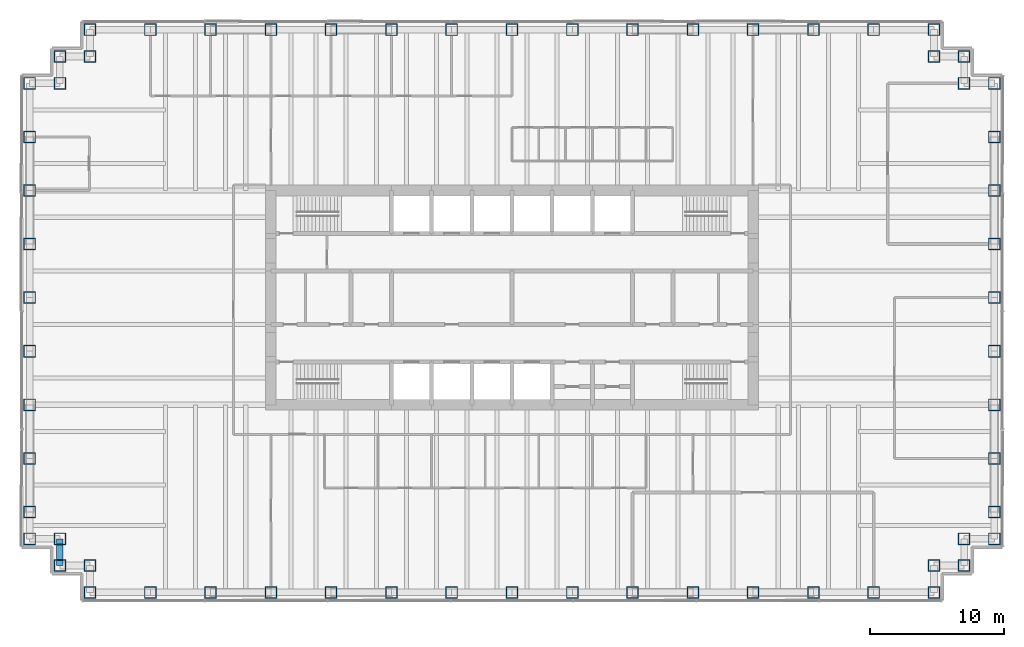
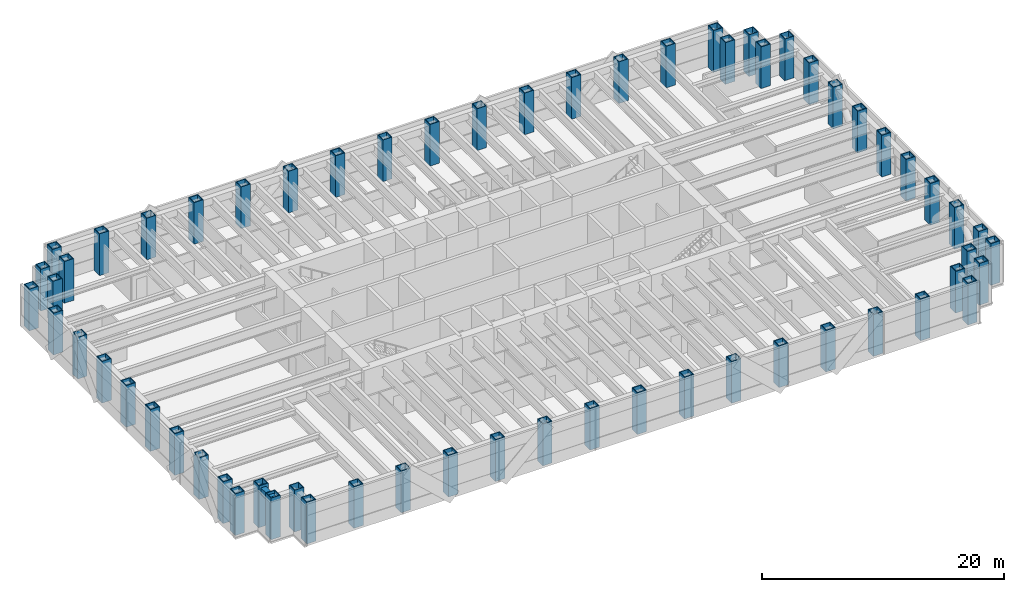
# One storey, part 1 of 12: 62 columns, 1 beam.
"""IFC4 building model written with IfcOpenShell, lengths in metres."""

from ifc_helpers import new_model, si_unit, direction, frame, origin, origin_2d, place, context, subcontext, project, spatial, hollow_rectangle, extrude, material, material_profile, profile_set, type_object, element, save


model = new_model("IFC4")

# Units and contexts
model_context = context("Model", 3, precision=1e-05, world=origin(), true_north=direction((0.0, 1.0)))
body_context = subcontext(model_context, "Body", "Model", "MODEL_VIEW")
ifc_project = project(units=[si_unit("LENGTHUNIT", "METRE"), si_unit("AREAUNIT", "SQUARE_METRE"), si_unit("VOLUMEUNIT", "CUBIC_METRE"), si_unit("PLANEANGLEUNIT", "RADIAN"), si_unit("MASSUNIT", "GRAM", prefix="KILO")], contexts=[model_context])

# Site, building, storey
site_placement = place(None, origin())
site = spatial("IfcSite", under=ifc_project, at=site_placement, CompositionType="ELEMENT")
building_placement = place(site_placement, origin())
building = spatial("IfcBuilding", under=site, at=building_placement, Name="Rheinbord Bourse Tower", CompositionType="ELEMENT")
storey_placement = place(building_placement, frame((0.0, 0.0, 261.39990234375)))
storey = spatial("IfcBuildingStorey", under=building, at=storey_placement, Name="L59", CompositionType="ELEMENT", Elevation=261.39990234375)

# Columns
ifc_material_1 = material(Name="Steel S460M", Category="steel")
ifc_material_profile_1 = material_profile(ifc_material_1, hollow_rectangle(XDim=0.89990234375, YDim=0.89990234375, WallThickness=0.070068359375, at=origin_2d()), Name="BOX 900x900x70")
ifc_profile_set_1 = profile_set([ifc_material_profile_1], Name="Steel S460M")
column_type = type_object("IfcColumnType", Name="TUBE COLUMN BOX 900x900x70", PredefinedType="COLUMN", material=ifc_profile_set_1)
for number, where, z_axis, x_axis, name in (
    (1, (4.5, 2.0, 0.0), (0.0, 0.0, 1.0), (0.0, 1.0, 0.0), "Column SW-E L59"),
    (2, (9.0, 2.0, 0.0), (0.0, 0.0, 1.0), (0.0, 1.0, 0.0), "Column S-9 L59"),
    (3, (13.5, 2.0, 0.0), (0.0, 0.0, 1.0), (0.0, 1.0, 0.0), "Column S-13.5 L59"),
    (4, (18.0, 2.0, 0.0), (0.0, 0.0, 1.0), (0.0, 1.0, 0.0), "Column S-18 L59"),
    (5, (22.5, 2.0, 0.0), (0.0, 0.0, 1.0), (0.0, 1.0, 0.0), "Column S-22.5 L59"),
    (6, (27.0, 2.0, 0.0), (0.0, 0.0, 1.0), (0.0, 1.0, 0.0), "Column S-27 L59"),
    (7, (31.5, 2.0, 0.0), (0.0, 0.0, 1.0), (0.0, 1.0, 0.0), "Column S-31.5 L59"),
    (8, (36.0, 2.0, 0.0), (0.0, 0.0, 1.0), (0.0, 1.0, 0.0), "Column S-36 L59"),
    (9, (40.5, 2.0, 0.0), (0.0, 0.0, 1.0), (0.0, 1.0, 0.0), "Column S-40.5 L59"),
    (10, (45.0, 2.0, 0.0), (0.0, 0.0, 1.0), (0.0, 1.0, 0.0), "Column S-45 L59"),
    (11, (49.5, 2.0, 0.0), (0.0, 0.0, 1.0), (0.0, 1.0, 0.0), "Column S-49.5 L59"),
    (12, (54.0, 2.0, 0.0), (0.0, 0.0, 1.0), (0.0, 1.0, 0.0), "Column S-54 L59"),
    (13, (58.5, 2.0, 0.0), (0.0, 0.0, 1.0), (0.0, 1.0, 0.0), "Column S-58.5 L59"),
    (14, (63.0, 2.0, 0.0), (0.0, 0.0, 1.0), (0.0, 1.0, 0.0), "Column S-63 L59"),
    (15, (67.5, 2.0, 0.0), (0.0, 0.0, 1.0), (0.0, 1.0, 0.0), "Column SE-E L59"),
    (16, (67.5, 4.0, 0.0), (0.0, 0.0, 1.0), (0.0, 1.0, 0.0), "Column SE-D L59"),
    (17, (69.75, 4.0, 0.0), (0.0, 0.0, 1.0), (1.0, 0.0, 0.0), "Column SE-C L59"),
    (18, (69.75, 6.0, 0.0), (0.0, 0.0, 1.0), (1.0, 0.0, 0.0), "Column SE-B L59"),
    (19, (72.0, 6.0, 0.0), (0.0, 0.0, 1.0), (1.0, 0.0, 0.0), "Column SE-A L59"),
    (20, (72.0, 8.0, 0.0), (0.0, 0.0, 1.0), (1.0, 0.0, 0.0), "Column E-8 L59"),
    (21, (72.0, 12.0, 0.0), (0.0, 0.0, 1.0), (1.0, 0.0, 0.0), "Column E-12 L59"),
    (22, (72.0, 16.0, 0.0), (0.0, 0.0, 1.0), (1.0, 0.0, 0.0), "Column E-16 L59"),
    (23, (72.0, 20.0, 0.0), (0.0, 0.0, 1.0), (1.0, 0.0, 0.0), "Column E-20 L59"),
    (24, (72.0, 24.0, 0.0), (0.0, 0.0, 1.0), (1.0, 0.0, 0.0), "Column E-24 L59"),
    (25, (72.0, 28.0, 0.0), (0.0, 0.0, 1.0), (1.0, 0.0, 0.0), "Column E-28 L59"),
    (26, (72.0, 32.0, 0.0), (0.0, 0.0, 1.0), (1.0, 0.0, 0.0), "Column E-32 L59"),
    (27, (72.0, 36.0, 0.0), (0.0, 0.0, 1.0), (1.0, 0.0, 0.0), "Column E-36 L59"),
    (28, (72.0, 40.0, 0.0), (0.0, 0.0, 1.0), (1.0, 0.0, 0.0), "Column NE-A L59"),
    (29, (69.75, 40.0, 0.0), (0.0, 0.0, 1.0), (1.0, 0.0, 0.0), "Column NE-B L59"),
    (30, (69.75, 42.0, 0.0), (0.0, 0.0, 1.0), (1.0, 0.0, 0.0), "Column NE-C L59"),
    (31, (67.5, 42.0, 0.0), (0.0, 0.0, 1.0), (0.0, 1.0, 0.0), "Column NE-D L59"),
    (32, (67.5, 44.0, 0.0), (0.0, 0.0, 1.0), (0.0, 1.0, 0.0), "Column NE-E L59"),
    (33, (63.0, 44.0, 0.0), (0.0, 0.0, 1.0), (0.0, 1.0, 0.0), "Column N-63 L59"),
    (34, (58.5, 44.0, 0.0), (0.0, 0.0, 1.0), (0.0, 1.0, 0.0), "Column N-58.5 L59"),
    (35, (54.0, 44.0, 0.0), (0.0, 0.0, 1.0), (0.0, 1.0, 0.0), "Column N-54 L59"),
    (36, (49.5, 44.0, 0.0), (0.0, 0.0, 1.0), (0.0, 1.0, 0.0), "Column N-49.5 L59"),
    (37, (45.0, 44.0, 0.0), (0.0, 0.0, 1.0), (0.0, 1.0, 0.0), "Column N-45 L59"),
    (38, (40.5, 44.0, 0.0), (0.0, 0.0, 1.0), (0.0, 1.0, 0.0), "Column N-40.5 L59"),
    (39, (36.0, 44.0, 0.0), (0.0, 0.0, 1.0), (0.0, 1.0, 0.0), "Column N-36 L59"),
    (40, (31.5, 44.0, 0.0), (0.0, 0.0, 1.0), (0.0, 1.0, 0.0), "Column N-31.5 L59"),
    (41, (27.0, 44.0, 0.0), (0.0, 0.0, 1.0), (0.0, 1.0, 0.0), "Column N-27 L59"),
    (42, (22.5, 44.0, 0.0), (0.0, 0.0, 1.0), (0.0, 1.0, 0.0), "Column N-22.5 L59"),
    (43, (18.0, 44.0, 0.0), (0.0, 0.0, 1.0), (0.0, 1.0, 0.0), "Column N-18 L59"),
    (44, (13.5, 44.0, 0.0), (0.0, 0.0, 1.0), (0.0, 1.0, 0.0), "Column N-13.5 L59"),
    (45, (9.0, 44.0, 0.0), (0.0, 0.0, 1.0), (0.0, 1.0, 0.0), "Column N-9 L59"),
    (46, (4.5, 44.0, 0.0), (0.0, 0.0, 1.0), (0.0, 1.0, 0.0), "Column NW-E L59"),
    (47, (4.5, 42.0, 0.0), (0.0, 0.0, 1.0), (0.0, 1.0, 0.0), "Column NW-D L59"),
    (48, (2.25, 42.0, 0.0), (0.0, 0.0, 1.0), (1.0, 0.0, 0.0), "Column NW-C L59"),
    (49, (2.25, 40.0, 0.0), (0.0, 0.0, 1.0), (1.0, 0.0, 0.0), "Column NW-B L59"),
    (50, (0.0, 40.0, 0.0), (0.0, 0.0, 1.0), (1.0, 0.0, 0.0), "Column NW-A L59"),
    (51, (0.0, 36.0, 0.0), (0.0, 0.0, 1.0), (1.0, 0.0, 0.0), "Column W-36 L59"),
    (52, (0.0, 32.0, 0.0), (0.0, 0.0, 1.0), (1.0, 0.0, 0.0), "Column W-32 L59"),
    (53, (0.0, 28.0, 0.0), (0.0, 0.0, 1.0), (1.0, 0.0, 0.0), "Column W-28 L59"),
    (54, (0.0, 24.0, 0.0), (0.0, 0.0, 1.0), (1.0, 0.0, 0.0), "Column W-24 L59"),
    (55, (0.0, 20.0, 0.0), (0.0, 0.0, 1.0), (1.0, 0.0, 0.0), "Column W-20 L59"),
    (56, (0.0, 16.0, 0.0), (0.0, 0.0, 1.0), (1.0, 0.0, 0.0), "Column W-16 L59"),
    (57, (0.0, 12.0, 0.0), (0.0, 0.0, 1.0), (1.0, 0.0, 0.0), "Column W-12 L59"),
    (58, (0.0, 8.0, 0.0), (0.0, 0.0, 1.0), (1.0, 0.0, 0.0), "Column W-8 L59"),
    (59, (0.0, 6.0, 0.0), (0.0, 0.0, 1.0), (1.0, 0.0, 0.0), "Column SW-A L59"),
    (60, (2.25, 6.0, 0.0), (0.0, 0.0, 1.0), (1.0, 0.0, 0.0), "Column SW-B L59"),
    (61, (2.25, 4.0, 0.0), (0.0, 0.0, 1.0), (1.0, 0.0, 0.0), "Column SW-C L59"),
    (62, (4.5, 4.0, 0.0), (0.0, 0.0, 1.0), (0.0, 1.0, 0.0), "Column SW-D L59"),
):
    element("IfcColumn", number, at=place(storey_placement, frame(where, z_axis=z_axis, x_axis=x_axis)), inside=storey, type_object=column_type, Name=name, PredefinedType="COLUMN", context=body_context, shape_type="SweptSolid", body=[
        extrude(hollow_rectangle(XDim=0.89990234375, YDim=0.89990234375, WallThickness=0.070068359375, at=origin_2d()), origin(), (0.0, 0.0, 1.0), 4.2001953125),
    ])

# Beam
ifc_material_2 = material(Name="Steel S460M", Category="steel")
ifc_material_profile_2 = material_profile(ifc_material_2, hollow_rectangle(XDim=0.5, YDim=0.699951171875, WallThickness=0.0400390625, at=origin_2d()), Name="BOX 700x500x40")
ifc_profile_set_2 = profile_set([ifc_material_profile_2], Name="Steel S460M")
beam_type = type_object("IfcBeamType", Name="BELT CHORD BOX 700x500x40", PredefinedType="SPANDREL", material=ifc_profile_set_2)
beam_placement = place(storey_placement, frame((2.25, 6.0, 3.60009765625), z_axis=(0.0, -1.0, 0.0), x_axis=(1.0, 0.0, 0.0)))
element("IfcBeam", 63, at=beam_placement, inside=storey, type_object=beam_type, Name="Spandrel SW-B-SW-C under L60", PredefinedType="SPANDREL", context=body_context, shape_type="SweptSolid", body=[
    extrude(hollow_rectangle(XDim=0.5, YDim=0.699951171875, WallThickness=0.0400390625, at=origin_2d()), origin(), (0.0, 0.0, 1.0), 2.0),
])

save(model, "model.ifc")
